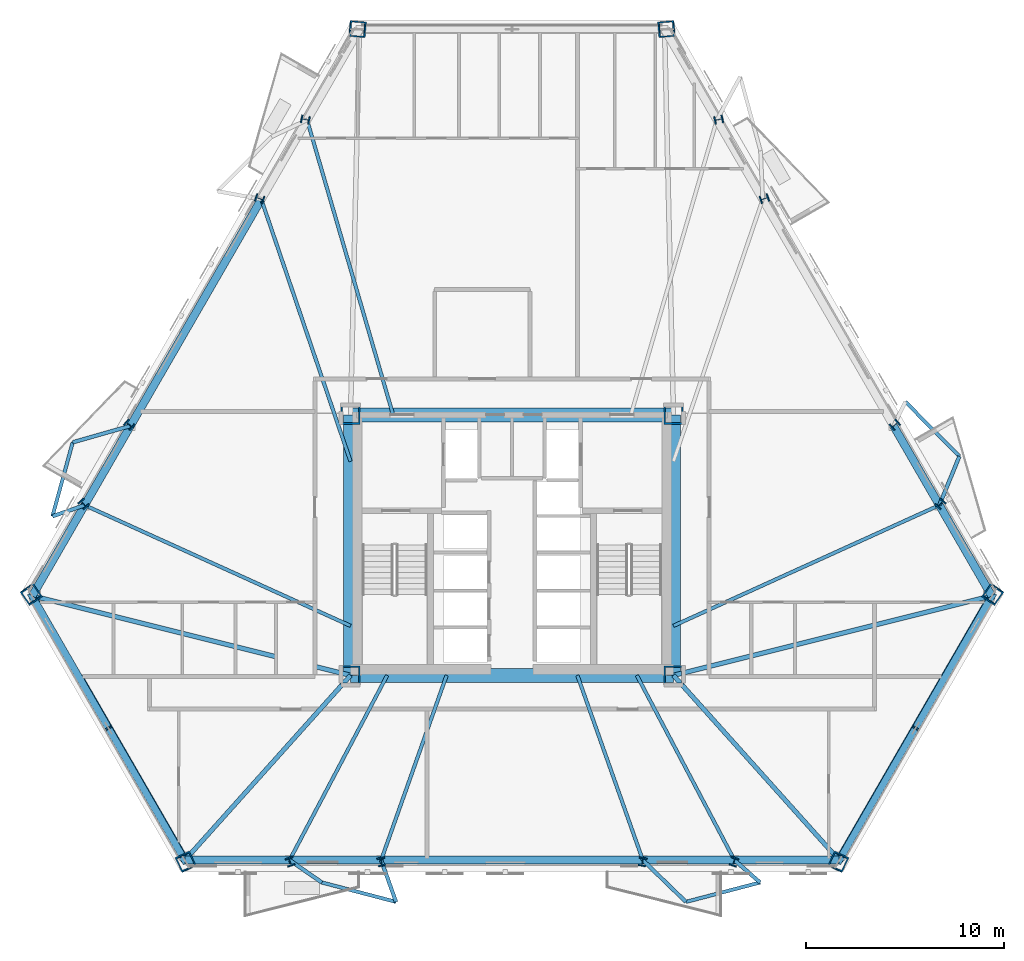
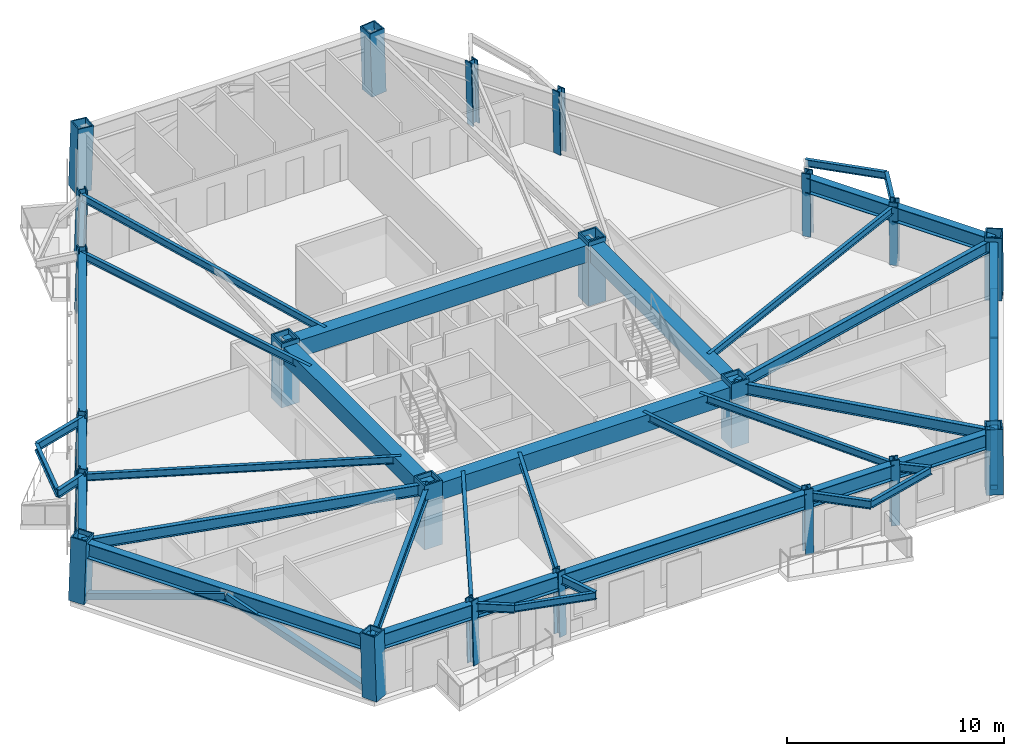
# One storey, part 1 of 12: 39 beams, 22 columns, 4 members.
"""IFC4 building model written with IfcOpenShell, lengths in metres."""

from ifc_helpers import new_model, si_unit, direction, frame, origin, origin_2d, place, context, subcontext, project, spatial, rectangle, hollow_rectangle, i_section, extrude, material, material_profile, profile_set, type_object, element, save


model = new_model("IFC4")

# Units and contexts
model_context = context("Model", 3, precision=1e-05, world=origin(), true_north=direction((0.0, 1.0)))
body_context = subcontext(model_context, "Body", "Model", "MODEL_VIEW")
ifc_project = project(units=[si_unit("LENGTHUNIT", "METRE"), si_unit("AREAUNIT", "SQUARE_METRE"), si_unit("VOLUMEUNIT", "CUBIC_METRE"), si_unit("PLANEANGLEUNIT", "RADIAN"), si_unit("MASSUNIT", "GRAM", prefix="KILO")], contexts=[model_context])

# Site, building, storey
site_placement = place(None, origin())
site = spatial("IfcSite", under=ifc_project, at=site_placement, CompositionType="ELEMENT")
building_placement = place(site_placement, origin())
building = spatial("IfcBuilding", under=site, at=building_placement, Name="Oramaril Tower", CompositionType="ELEMENT")
storey_placement = place(building_placement, frame((0.0, 0.0, 34.5)))
storey = spatial("IfcBuildingStorey", under=building, at=storey_placement, Name="L08", CompositionType="ELEMENT", Elevation=34.5)

# Columns
ifc_material_1 = material(Name="Steel ASTM A572 Gr 50", Category="steel")
ifc_material_profile_1 = material_profile(ifc_material_1, hollow_rectangle(XDim=0.949951171875, YDim=0.949951171875, WallThickness=0.080078125, at=origin_2d()), Name="BOX950X950X80")
ifc_profile_set_1 = profile_set([ifc_material_profile_1], Name="Steel ASTM A572 Gr 50")
column_type_1 = type_object("IfcColumnType", Name="CT-CC2", PredefinedType="COLUMN", material=ifc_profile_set_1)
for number, where, z_axis, x_axis, name in (
    (1, (29.35009765625, 11.0, 0.0), (0.0, 0.0, 1.0), (1.0, 0.0, 0.0), "L08 Core Column CC-1"),
    (2, (45.64990234375, 11.0, 0.0), (0.0, 0.0, 1.0), (1.0, 0.0, 0.0), "L08 Core Column CC-2"),
    (3, (45.64990234375, 24.14990234375, 0.0), (0.0, 0.0, 1.0), (1.0, 0.0, 0.0), "L08 Core Column CC-3"),
    (4, (29.35009765625, 24.14990234375, 0.0), (0.0, 0.0, 1.0), (1.0, 0.0, 0.0), "L08 Core Column CC-4"),
):
    element("IfcColumn", number, at=place(storey_placement, frame(where, z_axis=z_axis, x_axis=x_axis)), inside=storey, type_object=column_type_1, Name=name, PredefinedType="COLUMN", context=body_context, shape_type="SweptSolid", body=[
        extrude(hollow_rectangle(XDim=0.949951171875, YDim=0.949951171875, WallThickness=0.080078125, at=origin_2d()), origin(), (0.0, 0.0, 1.0), 3.60009765625),
    ])
ifc_material_2 = material(Name="Steel ASTM A572 Gr 50", Category="steel")
ifc_material_profile_2 = material_profile(ifc_material_2, hollow_rectangle(XDim=0.800048828125, YDim=0.800048828125, WallThickness=0.06494140625, at=origin_2d()), Name="BOX800X800X65")
ifc_profile_set_2 = profile_set([ifc_material_profile_2], Name="Steel ASTM A572 Gr 50")
column_type_2 = type_object("IfcColumnType", Name="CT-TC3", PredefinedType="COLUMN", material=ifc_profile_set_2)
for number, where, z_axis, x_axis, name in (
    (5, (13.221923828125, 15.1083984375, 0.00439453125), (0.018142917842, -0.026229087217, 0.999491305373), (0.822422232235, 0.568877554422, 0.0), "L08 Tube Column TC-01"),
    (6, (21.0380859375, 1.5703125, 0.00439453125), (-0.013658155039, 0.02881123252, 0.999491554582), (-0.903607613732, -0.42836115651, 0.0), "L08 Tube Column TC-02"),
    (7, (53.9619140625, 1.5703125, 0.00439453125), (0.013658155039, 0.02881123252, 0.999491554582), (-0.903607613732, 0.42836115651, 0.0), "L08 Tube Column TC-03"),
    (8, (61.778076171875, 15.1083984375, 0.00439453125), (-0.018142917842, -0.026229087217, 0.999491305373), (0.822422232235, -0.568877554422, 0.0), "L08 Tube Column TC-04"),
    (9, (45.316162109375, 43.621337890625, 0.00439453125), (-0.031733167924, -0.002650093253, 0.999492862936), (0.083222077122, -0.99653102605, 0.0), "L08 Tube Column TC-05"),
    (10, (29.683837890625, 43.621337890625, 0.00439453125), (0.031733167924, -0.002650093253, 0.999492862936), (0.083222077122, 0.99653102605, 0.0), "L08 Tube Column TC-06"),
):
    element("IfcColumn", number, at=place(storey_placement, frame(where, z_axis=z_axis, x_axis=x_axis)), inside=storey, type_object=column_type_2, Name=name, PredefinedType="COLUMN", context=body_context, shape_type="SweptSolid", body=[
        extrude(hollow_rectangle(XDim=0.800048828125, YDim=0.800048828125, WallThickness=0.06494140625, at=origin_2d()), origin(), (0.0, 0.0, 1.0), 3.5927734375),
    ])
ifc_material_3 = material(Name="Steel ASTM A572 Gr 50", Category="steel")
ifc_material_profile_3 = material_profile(ifc_material_3, i_section(OverallWidth=0.410888671875, OverallDepth=0.43408203125, WebThickness=0.035888671875, FlangeThickness=0.057373046875, at=origin_2d()), Name="W14X311")
ifc_profile_set_3 = profile_set([ifc_material_profile_3], Name="Steel ASTM A572 Gr 50")
column_type_3 = type_object("IfcColumnType", Name="CT-TF2", PredefinedType="COLUMN", material=ifc_profile_set_3)
column_1_placement = place(storey_placement, frame((26.305908203125, 1.5703125, 0.00439453125), z_axis=(-0.009241806116, 0.028812689656, 0.999542104133), x_axis=(-0.952215316532, -0.305427554359, 0.0)))
element("IfcColumn", 11, at=column_1_placement, inside=storey, type_object=column_type_3, Name="L08 Tube Column TC-07", PredefinedType="COLUMN", context=body_context, shape_type="SweptSolid", body=[
    extrude(i_section(OverallWidth=0.410888671875, OverallDepth=0.43408203125, WebThickness=0.035888671875, FlangeThickness=0.057373046875, at=origin_2d()), origin(), (0.0, 0.0, 1.0), 3.5927734375),
])
for number, where, z_axis, x_axis, name in (
    (12, (30.915283203125, 1.5703125, 0.00439453125), (-0.005504462683, 0.028813483674, 0.999569649424), (-0.982237039434, -0.187644340081, 0.0), "L08 Tube Column TC-08"),
    (13, (44.084716796875, 1.5703125, 0.00439453125), (0.005504462683, 0.028813483674, 0.999569649424), (-0.982237039434, 0.187644340081, 0.0), "L08 Tube Column TC-09"),
):
    element("IfcColumn", number, at=place(storey_placement, frame(where, z_axis=z_axis, x_axis=x_axis)), inside=storey, type_object=column_type_3, Name=name, PredefinedType="COLUMN", context=body_context, shape_type="SweptSolid", body=[
        extrude(i_section(OverallWidth=0.410888671875, OverallDepth=0.43408203125, WebThickness=0.035888671875, FlangeThickness=0.057373046875, at=origin_2d()), origin(), (0.0, 0.0, 1.0), 3.592529296875),
    ])
for number, where, z_axis, x_axis, name in (
    (14, (48.694091796875, 1.5703125, 0.00439453125), (0.009241806116, 0.028812689656, 0.999542104133), (-0.952215316532, 0.305427554359, 0.0), "L08 Tube Column TC-10"),
    (15, (59.144287109375, 19.67041015625, 0.00439453125), (-0.020318381204, -0.022424969221, 0.999542037205), (0.741056784611, -0.67144235939, 0.0), "L08 Tube Column TC-11"),
):
    element("IfcColumn", number, at=place(storey_placement, frame(where, z_axis=z_axis, x_axis=x_axis)), inside=storey, type_object=column_type_3, Name=name, PredefinedType="COLUMN", context=body_context, shape_type="SweptSolid", body=[
        extrude(i_section(OverallWidth=0.410888671875, OverallDepth=0.43408203125, WebThickness=0.035888671875, FlangeThickness=0.057373046875, at=origin_2d()), origin(), (0.0, 0.0, 1.0), 3.5927734375),
    ])
for number, where, z_axis, x_axis, name in (
    (16, (56.839599609375, 23.662353515625, 0.00439453125), (-0.022221713768, -0.019163679763, 0.999569381692), (0.653077047348, -0.757291469797, 0.0), "L08 Tube Column TC-12"),
    (17, (50.2548828125, 35.0673828125, 0.00439453125), (-0.027726163773, -0.009649792294, 0.999568977785), (0.32870018113, -0.944434323246, 0.0), "L08 Tube Column TC-13"),
):
    element("IfcColumn", number, at=place(storey_placement, frame(where, z_axis=z_axis, x_axis=x_axis)), inside=storey, type_object=column_type_3, Name=name, PredefinedType="COLUMN", context=body_context, shape_type="SweptSolid", body=[
        extrude(i_section(OverallWidth=0.410888671875, OverallDepth=0.43408203125, WebThickness=0.035888671875, FlangeThickness=0.057373046875, at=origin_2d()), origin(), (0.0, 0.0, 1.0), 3.592529296875),
    ])
for number, where, z_axis, x_axis, name in (
    (18, (47.9501953125, 39.05908203125, 0.00439453125), (-0.02962811078, -0.006319757575, 0.999541012523), (0.208609865362, -0.977998938687, 0.0), "L08 Tube Column TC-14"),
    (19, (27.0498046875, 39.05908203125, 0.00439453125), (0.02962811078, -0.006319757575, 0.999541012523), (0.208609865362, 0.977998938687, 0.0), "L08 Tube Column TC-15"),
):
    element("IfcColumn", number, at=place(storey_placement, frame(where, z_axis=z_axis, x_axis=x_axis)), inside=storey, type_object=column_type_3, Name=name, PredefinedType="COLUMN", context=body_context, shape_type="SweptSolid", body=[
        extrude(i_section(OverallWidth=0.410888671875, OverallDepth=0.43408203125, WebThickness=0.035888671875, FlangeThickness=0.057373046875, at=origin_2d()), origin(), (0.0, 0.0, 1.0), 3.5927734375),
    ])
for number, where, z_axis, x_axis, name in (
    (20, (24.7451171875, 35.0673828125, 0.00439453125), (0.027726163773, -0.009649792294, 0.999568977785), (0.32870018113, 0.944434323246, 0.0), "L08 Tube Column TC-16"),
    (21, (18.160400390625, 23.662353515625, 0.00439453125), (0.022221713768, -0.019163679763, 0.999569381692), (0.653077047348, 0.757291469797, 0.0), "L08 Tube Column TC-17"),
):
    element("IfcColumn", number, at=place(storey_placement, frame(where, z_axis=z_axis, x_axis=x_axis)), inside=storey, type_object=column_type_3, Name=name, PredefinedType="COLUMN", context=body_context, shape_type="SweptSolid", body=[
        extrude(i_section(OverallWidth=0.410888671875, OverallDepth=0.43408203125, WebThickness=0.035888671875, FlangeThickness=0.057373046875, at=origin_2d()), origin(), (0.0, 0.0, 1.0), 3.592529296875),
    ])
column_2_placement = place(storey_placement, frame((15.855712890625, 19.67041015625, 0.00439453125), z_axis=(0.020318381204, -0.022424969221, 0.999542037205), x_axis=(0.741056784611, 0.67144235939, 0.0)))
element("IfcColumn", 22, at=column_2_placement, inside=storey, type_object=column_type_3, Name="L08 Tube Column TC-18", PredefinedType="COLUMN", context=body_context, shape_type="SweptSolid", body=[
    extrude(i_section(OverallWidth=0.410888671875, OverallDepth=0.43408203125, WebThickness=0.035888671875, FlangeThickness=0.057373046875, at=origin_2d()), origin(), (0.0, 0.0, 1.0), 3.5927734375),
])

# Beams
ifc_material_4 = material(Name="Steel ASTM A572 Gr 50", Category="steel")
ifc_material_profile_4 = material_profile(ifc_material_4, i_section(OverallWidth=0.19091796875, OverallDepth=0.45703125, WebThickness=0.009033203125, FlangeThickness=0.014404296875, at=origin_2d()), Name="W18X50")
ifc_profile_set_4 = profile_set([ifc_material_profile_4], Name="Steel ASTM A572 Gr 50")
beam_type_1 = type_object("IfcBeamType", Name="BT-BB1", PredefinedType="BEAM", material=ifc_profile_set_4)
beam_1_placement = place(storey_placement, frame((26.272705078125, 1.673828125, 3.131591796875), z_axis=(0.82213895603, -0.569286867035, 0.0), x_axis=(0.569286867035, 0.82213895603, 0.0)))
element("IfcBeam", 23, at=beam_1_placement, inside=storey, type_object=beam_type_1, Name="L08 Balcony Column-Framed Cantilever 01.1", PredefinedType="BEAM", context=body_context, shape_type="SweptSolid", body=[
    extrude(i_section(OverallWidth=0.19091796875, OverallDepth=0.45703125, WebThickness=0.009033203125, FlangeThickness=0.014404296875, at=origin_2d()), origin(), (0.0, 0.0, 1.0), 1.981201171875),
])
beam_2_placement = place(storey_placement, frame((30.8955078125, 1.673828125, 3.131591796875), z_axis=(0.335216322443, -0.942141187491, 0.0), x_axis=(0.942141187491, 0.335216322443, 0.0)))
element("IfcBeam", 24, at=beam_2_placement, inside=storey, type_object=beam_type_1, Name="L08 Balcony Column-Framed Cantilever 01.2", PredefinedType="BEAM", context=body_context, shape_type="SweptSolid", body=[
    extrude(i_section(OverallWidth=0.19091796875, OverallDepth=0.45703125, WebThickness=0.009033203125, FlangeThickness=0.014404296875, at=origin_2d()), origin(), (0.0, 0.0, 1.0), 2.2373046875),
])
beam_3_placement = place(storey_placement, frame((44.1044921875, 1.673828125, 3.131591796875), z_axis=(0.718102998919, -0.695936838329, 0.0), x_axis=(0.695936838329, 0.718102998919, 0.0)))
element("IfcBeam", 25, at=beam_3_placement, inside=storey, type_object=beam_type_1, Name="L08 Balcony Column-Framed Cantilever 02.1", PredefinedType="BEAM", context=body_context, shape_type="SweptSolid", body=[
    extrude(i_section(OverallWidth=0.19091796875, OverallDepth=0.45703125, WebThickness=0.009033203125, FlangeThickness=0.014404296875, at=origin_2d()), origin(), (0.0, 0.0, 1.0), 3.02880859375),
])
beam_4_placement = place(storey_placement, frame((48.727294921875, 1.673828125, 3.131591796875), z_axis=(0.754360749029, -0.656460098044, 0.0), x_axis=(0.656460098044, 0.754360749029, 0.0)))
element("IfcBeam", 26, at=beam_4_placement, inside=storey, type_object=beam_type_1, Name="L08 Balcony Column-Framed Cantilever 02.2", PredefinedType="BEAM", context=body_context, shape_type="SweptSolid", body=[
    extrude(i_section(OverallWidth=0.19091796875, OverallDepth=0.45703125, WebThickness=0.009033203125, FlangeThickness=0.014404296875, at=origin_2d()), origin(), (0.0, 0.0, 1.0), 1.71826171875),
])
beam_5_placement = place(storey_placement, frame((59.0712890625, 19.58984375, 3.131591796875), z_axis=(0.379514116321, 0.925185946452, 0.0), x_axis=(-0.925185946452, 0.379514116321, 0.0)))
element("IfcBeam", 27, at=beam_5_placement, inside=storey, type_object=beam_type_1, Name="L08 Balcony Column-Framed Cantilever 03.1", PredefinedType="BEAM", context=body_context, shape_type="SweptSolid", body=[
    extrude(i_section(OverallWidth=0.19091796875, OverallDepth=0.45703125, WebThickness=0.009033203125, FlangeThickness=0.014404296875, at=origin_2d()), origin(), (0.0, 0.0, 1.0), 2.663818359375),
])
beam_6_placement = place(storey_placement, frame((18.240234375, 23.593505859375, 3.131591796875), z_axis=(-0.961760837097, -0.27389065743, 0.0), x_axis=(0.27389065743, -0.961760837097, 0.0)))
element("IfcBeam", 28, at=beam_6_placement, inside=storey, type_object=beam_type_1, Name="L08 Balcony Column-Framed Cantilever 06.1", PredefinedType="BEAM", context=body_context, shape_type="SweptSolid", body=[
    extrude(i_section(OverallWidth=0.19091796875, OverallDepth=0.45703125, WebThickness=0.009033203125, FlangeThickness=0.014404296875, at=origin_2d()), origin(), (0.0, 0.0, 1.0), 3.02880859375),
])
beam_7_placement = place(storey_placement, frame((15.9287109375, 19.58984375, 3.131591796875), z_axis=(-0.945715265042, -0.324996365312, 0.0), x_axis=(0.324996365312, -0.945715265042, 0.0)))
element("IfcBeam", 29, at=beam_7_placement, inside=storey, type_object=beam_type_1, Name="L08 Balcony Column-Framed Cantilever 06.2", PredefinedType="BEAM", context=body_context, shape_type="SweptSolid", body=[
    extrude(i_section(OverallWidth=0.19091796875, OverallDepth=0.45703125, WebThickness=0.009033203125, FlangeThickness=0.014404296875, at=origin_2d()), origin(), (0.0, 0.0, 1.0), 1.718017578125),
])
ifc_material_5 = material(Name="Concrete C50/60", Category="concrete")
ifc_material_profile_5 = material_profile(ifc_material_5, rectangle(XDim=0.699951171875, YDim=0.949951171875, at=origin_2d()), Name="CB700X950")
ifc_profile_set_5 = profile_set([ifc_material_profile_5], Name="Concrete C50/60")
beam_type_2 = type_object("IfcBeamType", Name="BT-CB1", PredefinedType="BEAM", material=ifc_profile_set_5)
beam_8_placement = place(storey_placement, frame((29.35009765625, 11.0, 2.885009765625), z_axis=(1.0, 0.0, 0.0), x_axis=(0.0, 1.0, 0.0)))
element("IfcBeam", 30, at=beam_8_placement, inside=storey, type_object=beam_type_2, Name="L08 Core Header Beam CB-1", PredefinedType="BEAM", context=body_context, shape_type="SweptSolid", body=[
    extrude(rectangle(XDim=0.699951171875, YDim=0.949951171875, at=origin_2d()), origin(), (0.0, 0.0, 1.0), 16.2998046875),
])
beam_9_placement = place(storey_placement, frame((45.64990234375, 11.0, 2.885009765625), z_axis=(0.0, 1.0, 0.0), x_axis=(-1.0, 0.0, 0.0)))
element("IfcBeam", 31, at=beam_9_placement, inside=storey, type_object=beam_type_2, Name="L08 Core Header Beam CB-2", PredefinedType="BEAM", context=body_context, shape_type="SweptSolid", body=[
    extrude(rectangle(XDim=0.699951171875, YDim=0.949951171875, at=origin_2d()), origin(), (0.0, 0.0, 1.0), 13.14990234375),
])
beam_10_placement = place(storey_placement, frame((45.64990234375, 24.14990234375, 2.885009765625), z_axis=(-1.0, 0.0, 0.0), x_axis=(0.0, -1.0, 0.0)))
element("IfcBeam", 32, at=beam_10_placement, inside=storey, type_object=beam_type_2, Name="L08 Core Header Beam CB-3", PredefinedType="BEAM", context=body_context, shape_type="SweptSolid", body=[
    extrude(rectangle(XDim=0.699951171875, YDim=0.949951171875, at=origin_2d()), origin(), (0.0, 0.0, 1.0), 16.2998046875),
])
beam_11_placement = place(storey_placement, frame((29.35009765625, 24.14990234375, 2.885009765625), z_axis=(0.0, -1.0, 0.0), x_axis=(1.0, 0.0, 0.0)))
element("IfcBeam", 33, at=beam_11_placement, inside=storey, type_object=beam_type_2, Name="L08 Core Header Beam CB-4", PredefinedType="BEAM", context=body_context, shape_type="SweptSolid", body=[
    extrude(rectangle(XDim=0.699951171875, YDim=0.949951171875, at=origin_2d()), origin(), (0.0, 0.0, 1.0), 13.14990234375),
])
ifc_material_6 = material(Name="Steel ASTM A572 Gr 50", Category="steel")
ifc_material_profile_6 = material_profile(ifc_material_6, i_section(OverallWidth=0.22900390625, OverallDepth=0.612060546875, WebThickness=0.011962890625, FlangeThickness=0.01953125, at=origin_2d()), Name="W24X84")
ifc_profile_set_6 = profile_set([ifc_material_profile_6], Name="Steel ASTM A572 Gr 50")
beam_type_3 = type_object("IfcBeamType", Name="BT-FB1", PredefinedType="BEAM", material=ifc_profile_set_6)
beam_12_placement = place(storey_placement, frame((29.35009765625, 11.0, 3.053955078125), z_axis=(-0.970165047884, 0.242445416258, 0.0), x_axis=(-0.242445416258, -0.970165047884, 0.0)))
element("IfcBeam", 34, at=beam_12_placement, inside=storey, type_object=beam_type_3, Name="L08 Radial Primary Beam RB-01", PredefinedType="BEAM", context=body_context, shape_type="SweptSolid", body=[
    extrude(i_section(OverallWidth=0.22900390625, OverallDepth=0.612060546875, WebThickness=0.011962890625, FlangeThickness=0.01953125, at=origin_2d()), origin(), (0.0, 0.0, 1.0), 16.556884765625),
])
for number, where, z_axis, x_axis, name in (
    (35, (29.35009765625, 11.0, 3.053955078125), (-0.667531228846, -0.74458180109, 0.0), (0.74458180109, -0.667531228846, 0.0), "L08 Radial Primary Beam RB-02"),
    (36, (45.64990234375, 11.0, 3.053955078125), (0.667531228846, -0.74458180109, 0.0), (0.74458180109, 0.667531228846, 0.0), "L08 Radial Primary Beam RB-03"),
):
    element("IfcBeam", number, at=place(storey_placement, frame(where, z_axis=z_axis, x_axis=x_axis)), inside=storey, type_object=beam_type_3, Name=name, PredefinedType="BEAM", context=body_context, shape_type="SweptSolid", body=[
        extrude(i_section(OverallWidth=0.22900390625, OverallDepth=0.612060546875, WebThickness=0.011962890625, FlangeThickness=0.01953125, at=origin_2d()), origin(), (0.0, 0.0, 1.0), 12.525390625),
    ])
beam_13_placement = place(storey_placement, frame((45.64990234375, 11.0, 3.053955078125), z_axis=(0.970165047884, 0.242445416258, 0.0), x_axis=(-0.242445416258, 0.970165047884, 0.0)))
element("IfcBeam", 37, at=beam_13_placement, inside=storey, type_object=beam_type_3, Name="L08 Radial Primary Beam RB-04", PredefinedType="BEAM", context=body_context, shape_type="SweptSolid", body=[
    extrude(i_section(OverallWidth=0.22900390625, OverallDepth=0.612060546875, WebThickness=0.011962890625, FlangeThickness=0.01953125, at=origin_2d()), origin(), (0.0, 0.0, 1.0), 16.556884765625),
])
ifc_material_7 = material(Name="Steel ASTM A572 Gr 50", Category="steel")
ifc_material_profile_7 = material_profile(ifc_material_7, i_section(OverallWidth=0.177978515625, OverallDepth=0.404052734375, WebThickness=0.007568359375, FlangeThickness=0.010986328125, at=origin_2d()), Name="W16X36")
ifc_profile_set_7 = profile_set([ifc_material_profile_7], Name="Steel ASTM A572 Gr 50")
beam_type_4 = type_object("IfcBeamType", Name="BT-SB1", PredefinedType="BEAM", material=ifc_profile_set_7)
beam_14_placement = place(storey_placement, frame((31.199951171875, 11.0, 3.157958984375), z_axis=(-0.467136738686, -0.884185086602, 0.0), x_axis=(0.884185086602, -0.467136738686, 0.0)))
element("IfcBeam", 38, at=beam_14_placement, inside=storey, type_object=beam_type_4, Name="L08 Secondary Floor Beam SB-01", PredefinedType="BEAM", context=body_context, shape_type="SweptSolid", body=[
    extrude(i_section(OverallWidth=0.177978515625, OverallDepth=0.404052734375, WebThickness=0.007568359375, FlangeThickness=0.010986328125, at=origin_2d()), origin(), (0.0, 0.0, 1.0), 10.5478515625),
])
for number, where, z_axis, x_axis, name in (
    (39, (34.199951171875, 11.0, 3.157958984375), (-0.333975033856, -0.942581920451, 0.0), (0.942581920451, -0.333975033856, 0.0), "L08 Secondary Floor Beam SB-02"),
    (40, (40.800048828125, 11.0, 3.157958984375), (0.333975033856, -0.942581920451, 0.0), (0.942581920451, 0.333975033856, 0.0), "L08 Secondary Floor Beam SB-03"),
):
    element("IfcBeam", number, at=place(storey_placement, frame(where, z_axis=z_axis, x_axis=x_axis)), inside=storey, type_object=beam_type_4, Name=name, PredefinedType="BEAM", context=body_context, shape_type="SweptSolid", body=[
        extrude(i_section(OverallWidth=0.177978515625, OverallDepth=0.404052734375, WebThickness=0.007568359375, FlangeThickness=0.010986328125, at=origin_2d()), origin(), (0.0, 0.0, 1.0), 9.894287109375),
    ])
beam_15_placement = place(storey_placement, frame((43.800048828125, 11.0, 3.157958984375), z_axis=(0.467136738686, -0.884185086602, 0.0), x_axis=(0.884185086602, 0.467136738686, 0.0)))
element("IfcBeam", 41, at=beam_15_placement, inside=storey, type_object=beam_type_4, Name="L08 Secondary Floor Beam SB-04", PredefinedType="BEAM", context=body_context, shape_type="SweptSolid", body=[
    extrude(i_section(OverallWidth=0.177978515625, OverallDepth=0.404052734375, WebThickness=0.007568359375, FlangeThickness=0.010986328125, at=origin_2d()), origin(), (0.0, 0.0, 1.0), 10.5478515625),
])
beam_16_placement = place(storey_placement, frame((45.64990234375, 13.5, 3.157958984375), z_axis=(0.910641979831, 0.413196302705, 0.0), x_axis=(-0.413196302705, 0.910641979831, 0.0)))
element("IfcBeam", 42, at=beam_16_placement, inside=storey, type_object=beam_type_4, Name="L08 Secondary Floor Beam SB-05", PredefinedType="BEAM", context=body_context, shape_type="SweptSolid", body=[
    extrude(i_section(OverallWidth=0.177978515625, OverallDepth=0.404052734375, WebThickness=0.007568359375, FlangeThickness=0.010986328125, at=origin_2d()), origin(), (0.0, 0.0, 1.0), 14.73828125),
])
beam_17_placement = place(storey_placement, frame((31.5, 24.14990234375, 3.157958984375), z_axis=(-0.280110631764, 0.959967725485, 0.0), x_axis=(-0.959967725485, -0.280110631764, 0.0)))
element("IfcBeam", 43, at=beam_17_placement, inside=storey, type_object=beam_type_4, Name="L08 Secondary Floor Beam SB-08", PredefinedType="BEAM", context=body_context, shape_type="SweptSolid", body=[
    extrude(i_section(OverallWidth=0.177978515625, OverallDepth=0.404052734375, WebThickness=0.007568359375, FlangeThickness=0.010986328125, at=origin_2d()), origin(), (0.0, 0.0, 1.0), 15.50732421875),
])
beam_18_placement = place(storey_placement, frame((29.35009765625, 21.800048828125, 3.157958984375), z_axis=(-0.322304424672, 0.946636074654, 0.0), x_axis=(-0.946636074654, -0.322304424672, 0.0)))
element("IfcBeam", 44, at=beam_18_placement, inside=storey, type_object=beam_type_4, Name="L08 Secondary Floor Beam SB-09", PredefinedType="BEAM", context=body_context, shape_type="SweptSolid", body=[
    extrude(i_section(OverallWidth=0.177978515625, OverallDepth=0.404052734375, WebThickness=0.007568359375, FlangeThickness=0.010986328125, at=origin_2d()), origin(), (0.0, 0.0, 1.0), 13.978515625),
])
beam_19_placement = place(storey_placement, frame((29.35009765625, 13.5, 3.157958984375), z_axis=(-0.910641979831, 0.413196302705, 0.0), x_axis=(-0.413196302705, -0.910641979831, 0.0)))
element("IfcBeam", 45, at=beam_19_placement, inside=storey, type_object=beam_type_4, Name="L08 Secondary Floor Beam SB-10", PredefinedType="BEAM", context=body_context, shape_type="SweptSolid", body=[
    extrude(i_section(OverallWidth=0.177978515625, OverallDepth=0.404052734375, WebThickness=0.007568359375, FlangeThickness=0.010986328125, at=origin_2d()), origin(), (0.0, 0.0, 1.0), 14.73828125),
])
for number, where, z_axis, x_axis, name in (
    (46, (27.901611328125, 0.5458984375, 3.157958984375), (0.967407922874, -0.253223045479, 0.0), (0.253223045479, 0.967407922874, 0.0), "L08 Balcony Edge Tie Beam 01"),
    (47, (46.279541015625, -0.43408203125, 3.157958984375), (0.967407922874, 0.253223045479, 0.0), (-0.253223045479, 0.967407922874, 0.0), "L08 Balcony Edge Tie Beam 02"),
    (48, (60.082275390625, 22.054443359375, 3.157958984375), (-0.702994511648, 0.71119527318, 0.0), (-0.71119527318, -0.702994511648, 0.0), "L08 Balcony Edge Tie Beam 03"),
    (49, (15.3271484375, 22.763916015625, 3.157958984375), (-0.264382243015, -0.964417974521, 0.0), (0.964417974521, -0.264382243015, 0.0), "L08 Balcony Edge Tie Beam 06"),
):
    element("IfcBeam", number, at=place(storey_placement, frame(where, z_axis=z_axis, x_axis=x_axis)), inside=storey, type_object=beam_type_4, Name=name, PredefinedType="BEAM", context=body_context, shape_type="SweptSolid", body=[
        extrude(i_section(OverallWidth=0.177978515625, OverallDepth=0.404052734375, WebThickness=0.007568359375, FlangeThickness=0.010986328125, at=origin_2d()), origin(), (0.0, 0.0, 1.0), 3.8701171875),
    ])
ifc_material_8 = material(Name="Steel ASTM A572 Gr 50", Category="steel")
ifc_material_profile_8 = material_profile(ifc_material_8, i_section(OverallWidth=0.40087890625, OverallDepth=0.85595703125, WebThickness=0.018310546875, FlangeThickness=0.029296875, at=origin_2d()), Name="W33X201")
ifc_profile_set_8 = profile_set([ifc_material_profile_8], Name="Steel ASTM A572 Gr 50")
beam_type_5 = type_object("IfcBeamType", Name="BT-SP1", PredefinedType="SPANDREL", material=ifc_profile_set_8)
beam_20_placement = place(storey_placement, frame((13.287109375, 15.01416015625, 2.931884765625), z_axis=(0.499993183949, -0.866029338997, 0.0), x_axis=(0.866029338997, 0.499993183949, 0.0)))
element("IfcBeam", 50, at=beam_20_placement, inside=storey, type_object=beam_type_5, Name="L08 Perimeter Spandrel 01", PredefinedType="SPANDREL", context=body_context, shape_type="SweptSolid", body=[
    extrude(i_section(OverallWidth=0.40087890625, OverallDepth=0.85595703125, WebThickness=0.018310546875, FlangeThickness=0.029296875, at=origin_2d()), origin(), (0.0, 0.0, 1.0), 15.404052734375),
])
beam_21_placement = place(storey_placement, frame((20.989013671875, 1.673828125, 2.931884765625), z_axis=(1.0, 0.0, 0.0), x_axis=(0.0, 1.0, 0.0)))
element("IfcBeam", 51, at=beam_21_placement, inside=storey, type_object=beam_type_5, Name="L08 Perimeter Spandrel 02", PredefinedType="SPANDREL", context=body_context, shape_type="SweptSolid", body=[
    extrude(i_section(OverallWidth=0.40087890625, OverallDepth=0.85595703125, WebThickness=0.018310546875, FlangeThickness=0.029296875, at=origin_2d()), origin(), (0.0, 0.0, 1.0), 5.28369140625),
])
beam_22_placement = place(storey_placement, frame((26.272705078125, 1.673828125, 2.931884765625), z_axis=(1.0, 0.0, 0.0), x_axis=(0.0, 1.0, 0.0)))
element("IfcBeam", 52, at=beam_22_placement, inside=storey, type_object=beam_type_5, Name="L08 Perimeter Spandrel 03", PredefinedType="SPANDREL", context=body_context, shape_type="SweptSolid", body=[
    extrude(i_section(OverallWidth=0.40087890625, OverallDepth=0.85595703125, WebThickness=0.018310546875, FlangeThickness=0.029296875, at=origin_2d()), origin(), (0.0, 0.0, 1.0), 4.622802734375),
])
beam_23_placement = place(storey_placement, frame((30.8955078125, 1.673828125, 2.931884765625), z_axis=(1.0, 0.0, 0.0), x_axis=(0.0, 1.0, 0.0)))
element("IfcBeam", 53, at=beam_23_placement, inside=storey, type_object=beam_type_5, Name="L08 Perimeter Spandrel 04", PredefinedType="SPANDREL", context=body_context, shape_type="SweptSolid", body=[
    extrude(i_section(OverallWidth=0.40087890625, OverallDepth=0.85595703125, WebThickness=0.018310546875, FlangeThickness=0.029296875, at=origin_2d()), origin(), (0.0, 0.0, 1.0), 13.208984375),
])
beam_24_placement = place(storey_placement, frame((44.1044921875, 1.673828125, 2.931884765625), z_axis=(1.0, 0.0, 0.0), x_axis=(0.0, 1.0, 0.0)))
element("IfcBeam", 54, at=beam_24_placement, inside=storey, type_object=beam_type_5, Name="L08 Perimeter Spandrel 05", PredefinedType="SPANDREL", context=body_context, shape_type="SweptSolid", body=[
    extrude(i_section(OverallWidth=0.40087890625, OverallDepth=0.85595703125, WebThickness=0.018310546875, FlangeThickness=0.029296875, at=origin_2d()), origin(), (0.0, 0.0, 1.0), 4.622802734375),
])
beam_25_placement = place(storey_placement, frame((48.727294921875, 1.673828125, 2.931884765625), z_axis=(1.0, 0.0, 0.0), x_axis=(0.0, 1.0, 0.0)))
element("IfcBeam", 55, at=beam_25_placement, inside=storey, type_object=beam_type_5, Name="L08 Perimeter Spandrel 06", PredefinedType="SPANDREL", context=body_context, shape_type="SweptSolid", body=[
    extrude(i_section(OverallWidth=0.40087890625, OverallDepth=0.85595703125, WebThickness=0.018310546875, FlangeThickness=0.029296875, at=origin_2d()), origin(), (0.0, 0.0, 1.0), 5.28369140625),
])
beam_26_placement = place(storey_placement, frame((54.010986328125, 1.673828125, 2.931884765625), z_axis=(0.499993183949, 0.866029338997, 0.0), x_axis=(-0.866029338997, 0.499993183949, 0.0)))
element("IfcBeam", 56, at=beam_26_placement, inside=storey, type_object=beam_type_5, Name="L08 Perimeter Spandrel 07", PredefinedType="SPANDREL", context=body_context, shape_type="SweptSolid", body=[
    extrude(i_section(OverallWidth=0.40087890625, OverallDepth=0.85595703125, WebThickness=0.018310546875, FlangeThickness=0.029296875, at=origin_2d()), origin(), (0.0, 0.0, 1.0), 15.404052734375),
])
beam_27_placement = place(storey_placement, frame((61.712890625, 15.01416015625, 2.931884765625), z_axis=(-0.49997578384, 0.86603938454, 0.0), x_axis=(-0.86603938454, -0.49997578384, 0.0)))
element("IfcBeam", 57, at=beam_27_placement, inside=storey, type_object=beam_type_5, Name="L08 Perimeter Spandrel 08", PredefinedType="SPANDREL", context=body_context, shape_type="SweptSolid", body=[
    extrude(i_section(OverallWidth=0.40087890625, OverallDepth=0.85595703125, WebThickness=0.018310546875, FlangeThickness=0.029296875, at=origin_2d()), origin(), (0.0, 0.0, 1.0), 5.283447265625),
])
beam_28_placement = place(storey_placement, frame((59.0712890625, 19.58984375, 2.931884765625), z_axis=(-0.500001304485, 0.866024650639, 0.0), x_axis=(-0.866024650639, -0.500001304485, 0.0)))
element("IfcBeam", 58, at=beam_28_placement, inside=storey, type_object=beam_type_5, Name="L08 Perimeter Spandrel 09", PredefinedType="SPANDREL", context=body_context, shape_type="SweptSolid", body=[
    extrude(i_section(OverallWidth=0.40087890625, OverallDepth=0.85595703125, WebThickness=0.018310546875, FlangeThickness=0.029296875, at=origin_2d()), origin(), (0.0, 0.0, 1.0), 4.623046875),
])
beam_29_placement = place(storey_placement, frame((24.8447265625, 35.03271484375, 2.931884765625), z_axis=(-0.500003509056, -0.866023377821, 0.0), x_axis=(0.866023377821, -0.500003509056, 0.0)))
element("IfcBeam", 59, at=beam_29_placement, inside=storey, type_object=beam_type_5, Name="L08 Perimeter Spandrel 16", PredefinedType="SPANDREL", context=body_context, shape_type="SweptSolid", body=[
    extrude(i_section(OverallWidth=0.40087890625, OverallDepth=0.85595703125, WebThickness=0.018310546875, FlangeThickness=0.029296875, at=origin_2d()), origin(), (0.0, 0.0, 1.0), 13.208984375),
])
beam_30_placement = place(storey_placement, frame((18.240234375, 23.593505859375, 2.931884765625), z_axis=(-0.500001304485, -0.866024650639, 0.0), x_axis=(0.866024650639, -0.500001304485, 0.0)))
element("IfcBeam", 60, at=beam_30_placement, inside=storey, type_object=beam_type_5, Name="L08 Perimeter Spandrel 17", PredefinedType="SPANDREL", context=body_context, shape_type="SweptSolid", body=[
    extrude(i_section(OverallWidth=0.40087890625, OverallDepth=0.85595703125, WebThickness=0.018310546875, FlangeThickness=0.029296875, at=origin_2d()), origin(), (0.0, 0.0, 1.0), 4.623046875),
])
beam_31_placement = place(storey_placement, frame((15.9287109375, 19.58984375, 2.931884765625), z_axis=(-0.49997578384, -0.86603938454, 0.0), x_axis=(0.86603938454, -0.49997578384, 0.0)))
element("IfcBeam", 61, at=beam_31_placement, inside=storey, type_object=beam_type_5, Name="L08 Perimeter Spandrel 18", PredefinedType="SPANDREL", context=body_context, shape_type="SweptSolid", body=[
    extrude(i_section(OverallWidth=0.40087890625, OverallDepth=0.85595703125, WebThickness=0.018310546875, FlangeThickness=0.029296875, at=origin_2d()), origin(), (0.0, 0.0, 1.0), 5.283447265625),
])

# Members
ifc_material_9 = material(Name="Steel ASTM A572 Gr 50", Category="steel")
ifc_material_profile_9 = material_profile(ifc_material_9, hollow_rectangle(XDim=0.35009765625, YDim=0.35009765625, WallThickness=0.01611328125, at=origin_2d()), Name="HSS350X350X16")
ifc_profile_set_9 = profile_set([ifc_material_profile_9], Name="Steel ASTM A572 Gr 50")
member_type = type_object("IfcMemberType", Name="MT-KB1", PredefinedType="BRACE", material=ifc_profile_set_9)
member_1_placement = place(storey_placement, frame((13.221923828125, 15.1083984375, 0.179931640625), z_axis=(0.471608076982, -0.816880461199, 0.332102595348), x_axis=(0.866033702321, 0.499985626237, 0.0)))
element("IfcMember", 62, at=member_1_placement, inside=storey, type_object=member_type, Name="L08 Perimeter Chevron Brace KB-1A", PredefinedType="BRACE", context=body_context, shape_type="SweptSolid", body=[
    extrude(hollow_rectangle(XDim=0.35009765625, YDim=0.35009765625, WallThickness=0.01611328125, at=origin_2d()), origin(), (0.0, 0.0, 1.0), 8.286376953125),
])
for number, where, z_axis, x_axis, name in (
    (63, (21.0380859375, 1.5703125, 0.179931640625), (-0.471630986216, 0.816869110684, 0.332097980799), (-0.866020177134, -0.500009052715, 0.0), "L08 Perimeter Chevron Brace KB-1B"),
    (64, (53.9619140625, 1.5703125, 0.179931640625), (0.471630986216, 0.816869110684, 0.332097980799), (-0.866020177134, 0.500009052715, 0.0), "L08 Perimeter Chevron Brace KB-2A"),
):
    element("IfcMember", number, at=place(storey_placement, frame(where, z_axis=z_axis, x_axis=x_axis)), inside=storey, type_object=member_type, Name=name, PredefinedType="BRACE", context=body_context, shape_type="SweptSolid", body=[
        extrude(hollow_rectangle(XDim=0.35009765625, YDim=0.35009765625, WallThickness=0.01611328125, at=origin_2d()), origin(), (0.0, 0.0, 1.0), 8.28662109375),
    ])
member_2_placement = place(storey_placement, frame((61.778076171875, 15.1083984375, 0.179931640625), z_axis=(-0.471608076982, -0.816880461199, 0.332102595348), x_axis=(0.866033702321, -0.499985626237, 0.0)))
element("IfcMember", 65, at=member_2_placement, inside=storey, type_object=member_type, Name="L08 Perimeter Chevron Brace KB-2B", PredefinedType="BRACE", context=body_context, shape_type="SweptSolid", body=[
    extrude(hollow_rectangle(XDim=0.35009765625, YDim=0.35009765625, WallThickness=0.01611328125, at=origin_2d()), origin(), (0.0, 0.0, 1.0), 8.286376953125),
])

save(model, "model.ifc")
